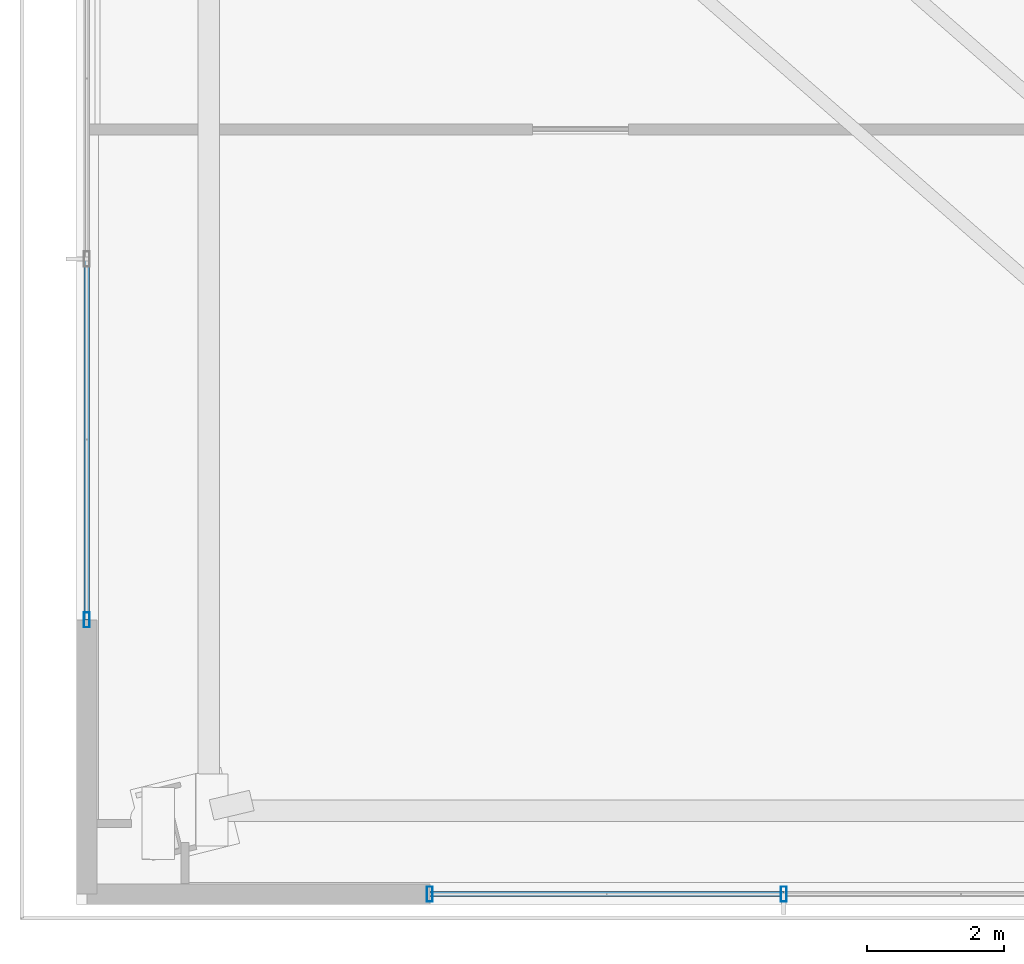
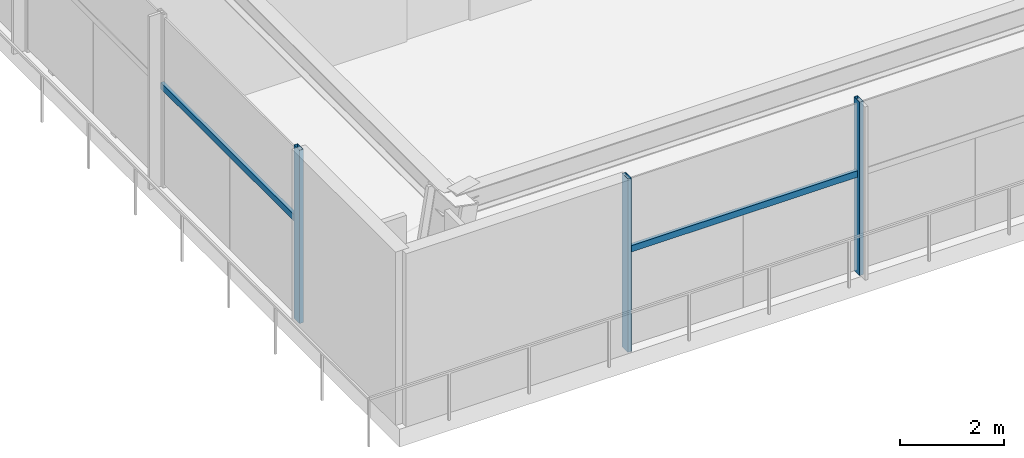
# One storey, part 2 of 36: 5 members, 2 elements without a shape of their own.
"""IFC4 building model written with IfcOpenShell, lengths in metres."""

from ifc_helpers import new_model, si_unit, direction, frame, origin, origin_2d, place, context, subcontext, project, spatial, hollow_rectangle, extrude, source, transform, mapped, material, material_profile, profile_set, type_object, type_shapes, element, aggregate, save


model = new_model("IFC4")

# Units and contexts
model_context = context("Model", 3, precision=1e-05, world=origin(), true_north=direction((0.0, 1.0)))
body_context = subcontext(model_context, "Body", "Model", "MODEL_VIEW")
ifc_project = project(units=[si_unit("LENGTHUNIT", "METRE"), si_unit("AREAUNIT", "SQUARE_METRE"), si_unit("VOLUMEUNIT", "CUBIC_METRE"), si_unit("PLANEANGLEUNIT", "RADIAN"), si_unit("MASSUNIT", "GRAM", prefix="KILO")], contexts=[model_context])

# Site, building, storey
site_placement = place(None, origin())
site = spatial("IfcSite", under=ifc_project, at=site_placement, CompositionType="ELEMENT")
building_placement = place(site_placement, origin())
building = spatial("IfcBuilding", under=site, at=building_placement, Name="Astriad Promenade Condominiums", CompositionType="ELEMENT")
storey_placement = place(building_placement, frame((0.0, 0.0, 5.0)))
storey = spatial("IfcBuildingStorey", under=building, at=storey_placement, Name="L01", CompositionType="ELEMENT", Elevation=5.0)

# Curtain wall, member
ifc_material_1 = material(Name="Anodised aluminium Black Dark Glass Unitised", Category="aluminium")
curtain_wall_type = type_object("IfcCurtainWallType", Name="CW-POD-DARK", PredefinedType="USERDEFINED", material=ifc_material_1)
curtain_wall_1_placement = place(storey_placement, origin())
curtain_wall_1 = element("IfcCurtainWall", 1, at=curtain_wall_1_placement, inside=storey, type_object=curtain_wall_type, Name="CW-L01-W", ObjectType="UNITISED_CURTAIN_WALL", PredefinedType="USERDEFINED")
ifc_material_2 = material(Name="Anodised aluminium 6063-T6 Black", Category="aluminium")
ifc_material_profile_1 = material_profile(ifc_material_2, hollow_rectangle(XDim=0.0849609375, YDim=0.219970703125, WallThickness=0.0048828125, at=origin_2d()), Name="ALU-MUL-85X220")
ifc_profile_set_1 = profile_set([ifc_material_profile_1], Name="Anodised aluminium 6063-T6 Black")
member_type_1 = type_object("IfcMemberType", Name="MUL-ALU-MUL-85X220", PredefinedType="MULLION", material=ifc_profile_set_1)
shared_shape_1 = source(origin(), body_context, "Body", "SweptSolid", [
    extrude(hollow_rectangle(XDim=0.0849609375, YDim=0.219970703125, WallThickness=0.0048828125, at=origin_2d()), origin(), (0.0, 0.0, 1.0), 4.080078125),
])
type_shapes(member_type_1, [shared_shape_1])
member_1_placement = place(storey_placement, frame((1.949951171875, 5.14990234375, 0.0), z_axis=(0.0, 0.0, 1.0), x_axis=(1.0, 0.0, 0.0)))
member_1 = element("IfcMember", 2, at=member_1_placement, type_object=member_type_1, Name="CW-L01-W-MUL-00", PredefinedType="MULLION", context=body_context, shape_type="MappedRepresentation", body=[
    mapped(shared_shape_1, transform((0.0, 0.0, 0.0), scale=1.0)),
])

# Curtain wall, members
curtain_wall_2_placement = place(storey_placement, origin())
curtain_wall_2 = element("IfcCurtainWall", 3, at=curtain_wall_2_placement, inside=storey, type_object=curtain_wall_type, Name="CW-L01-S", ObjectType="UNITISED_CURTAIN_WALL", PredefinedType="USERDEFINED")
member_2_placement = place(storey_placement, frame((12.111572265625, 1.14990234375, 0.0), z_axis=(0.0, 0.0, 1.0), x_axis=(1.0, 0.0, 0.0)))
member_2 = element("IfcMember", 4, at=member_2_placement, type_object=member_type_1, Name="CW-L01-S-MUL-12", PredefinedType="MULLION", context=body_context, shape_type="MappedRepresentation", body=[
    mapped(shared_shape_1, transform((0.0, 0.0, 0.0), scale=1.0)),
])
member_3_placement = place(storey_placement, frame((6.949951171875, 1.14990234375, 0.0), z_axis=(0.0, 0.0, 1.0), x_axis=(1.0, 0.0, 0.0)))
member_3 = element("IfcMember", 5, at=member_3_placement, type_object=member_type_1, Name="CW-L01-S-MUL-13", PredefinedType="MULLION", context=body_context, shape_type="MappedRepresentation", body=[
    mapped(shared_shape_1, transform((0.0, 0.0, 0.0), scale=1.0)),
])

# Member
ifc_material_profile_2 = material_profile(ifc_material_2, hollow_rectangle(XDim=0.074951171875, YDim=0.14990234375, WallThickness=0.004150390625, at=origin_2d()), Name="ALU-TRN-75X150")
ifc_profile_set_2 = profile_set([ifc_material_profile_2], Name="Anodised aluminium 6063-T6 Black")
member_type_2 = type_object("IfcMemberType", Name="TRN-ALU-TRN-75X150", PredefinedType="USERDEFINED", material=ifc_profile_set_2)
shared_shape_2 = source(origin(), body_context, "Body", "SweptSolid", [
    extrude(hollow_rectangle(XDim=0.074951171875, YDim=0.14990234375, WallThickness=0.004150390625, at=origin_2d()), origin(), (0.0, 0.0, 1.0), 5.260009765625),
])
member_4_placement = place(storey_placement, frame((1.949951171875, 5.14990234375, 2.35009765625), z_axis=(0.0, 1.0, 0.0), x_axis=(-1.0, 0.0, 0.0)))
member_4 = element("IfcMember", 6, at=member_4_placement, type_object=member_type_2, Name="CW-L01-W-TRN-00-0", ObjectType="TRANSOM", PredefinedType="USERDEFINED", context=body_context, shape_type="MappedRepresentation", body=[
    mapped(shared_shape_2, transform((0.0, 0.0, 0.0), scale=1.0)),
])

aggregate(curtain_wall_1, [member_1, member_4])

shared_shape_3 = source(origin(), body_context, "Body", "SweptSolid", [
    extrude(hollow_rectangle(XDim=0.074951171875, YDim=0.14990234375, WallThickness=0.004150390625, at=origin_2d()), origin(), (0.0, 0.0, 1.0), 5.16162109375),
])
type_shapes(member_type_2, [shared_shape_2, shared_shape_3])
member_5_placement = place(storey_placement, frame((12.111572265625, 1.14990234375, 2.35009765625), z_axis=(-1.0, 0.0, 0.0), x_axis=(0.0, -1.0, 0.0)))
member_5 = element("IfcMember", 7, at=member_5_placement, type_object=member_type_2, Name="CW-L01-S-TRN-12-0", ObjectType="TRANSOM", PredefinedType="USERDEFINED", context=body_context, shape_type="MappedRepresentation", body=[
    mapped(shared_shape_3, transform((0.0, 0.0, 0.0), scale=1.0)),
])

aggregate(curtain_wall_2, [member_2, member_3, member_5])

save(model, "model.ifc")
